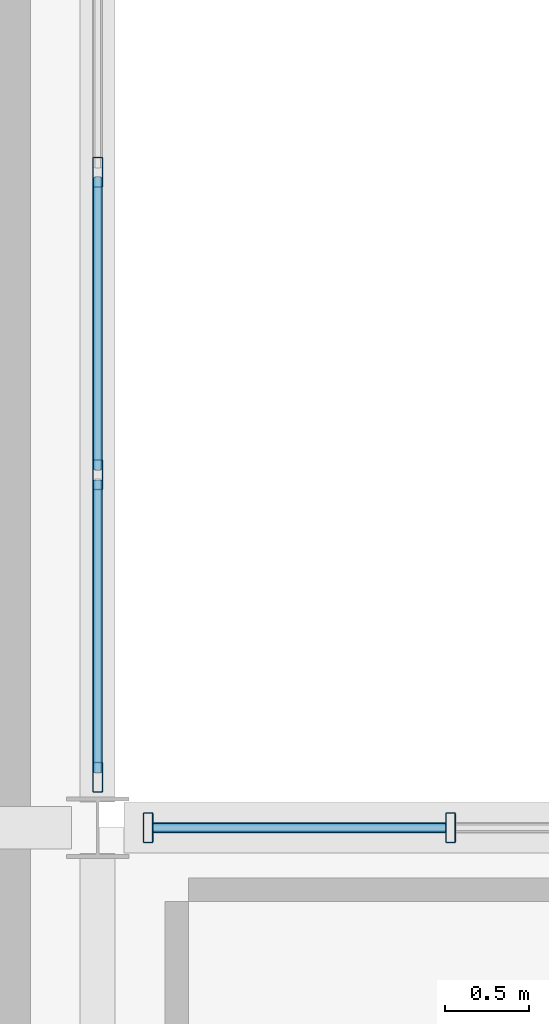
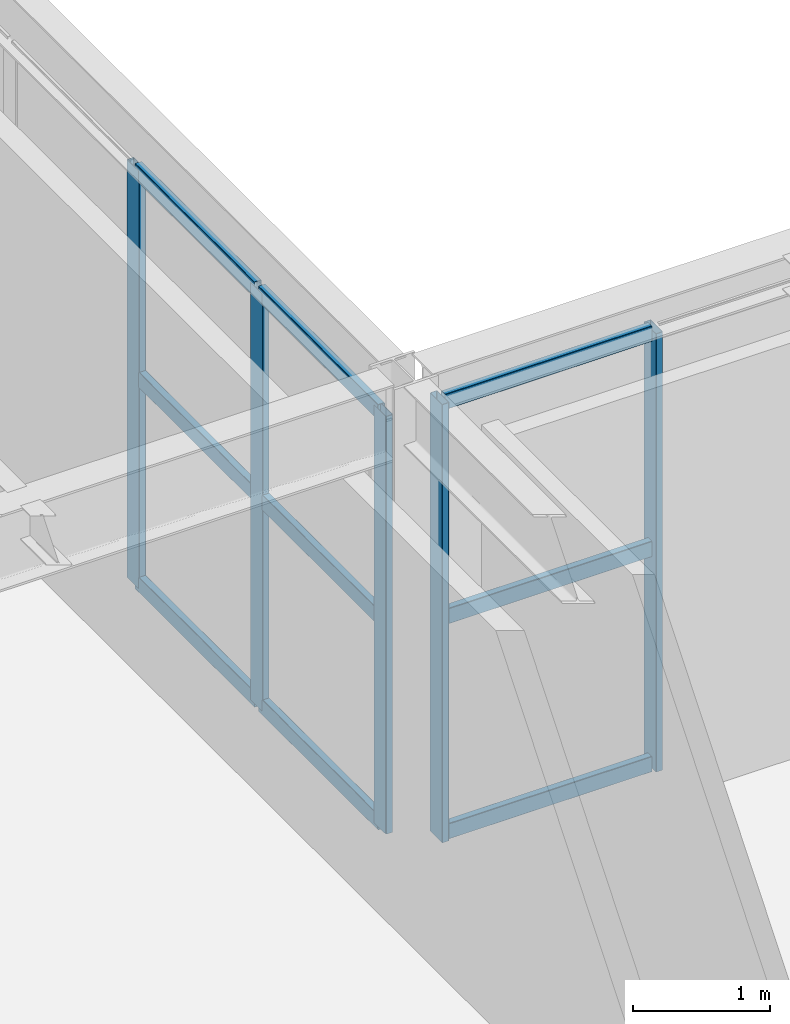
# One storey, part 26 of 170: 14 members, 2 elements without a shape of their own.
"""IFC4 building model written with IfcOpenShell, lengths in metres."""

import ifcopenshell
import ifcopenshell.guid

model = None  # the IFC model being written
_history = None  # IfcOwnerHistory: only IFC2X3 demands one
_inside = {}  # id of a spatial element -> (the spatial element, [elements in it])
_under = {}  # id of a project, library or spatial element -> (it, [spatial elements below it])
_declared = {}  # id of a project -> (the project, [libraries it declares])
_typed = {}  # id of a type object -> (the type object, [elements of that type])
_made_of = {}  # id of a material, layer set ... -> (it, [elements and type objects made of it])


def new_model(schema):
    """Start an empty IFC model of exactly this schema.

    Asked for "IFC4X3", IfcOpenShell would pick the latest addendum, in which some entities
    have other attributes; the version numbers below select the first issue.
    IFC2X3 requires an IfcOwnerHistory on every rooted entity: one is made here for all.
    """
    global model, _history
    if schema == "IFC4X3":
        model = ifcopenshell.file(schema_version=(4, 3, 0, 0))
    else:
        model = ifcopenshell.file(schema=schema)
    _inside.clear()
    _under.clear()
    _declared.clear()
    _typed.clear()
    _made_of.clear()
    _history = None
    if model.schema == "IFC2X3":
        org = make("IfcOrganization", Name="unknown")
        user = make(
            "IfcPersonAndOrganization",
            ThePerson=make("IfcPerson", FamilyName="unknown"),
            TheOrganization=org,
        )
        app = make(
            "IfcApplication",
            ApplicationDeveloper=org,
            Version="unknown",
            ApplicationFullName="unknown",
            ApplicationIdentifier="unknown",
        )
        _history = make(
            "IfcOwnerHistory",
            OwningUser=user,
            OwningApplication=app,
            ChangeAction="ADDED",
            CreationDate=0,
        )
    return model


def make(cls, **values):
    """One entity of the class cls with the attributes given. An attribute that is None is left unset."""
    return model.create_entity(
        cls, **{name: value for name, value in values.items() if value is not None}
    )


def rooted(cls, **values):
    """An entity with a GlobalId (a new one), such as an element, a storey or a relation."""
    return make(cls, GlobalId=ifcopenshell.guid.new(), OwnerHistory=_history, **values)


def si_unit(unit_type, name, prefix=None):
    """IfcSIUnit, for example si_unit("LENGTHUNIT", "METRE", prefix="MILLI")."""
    return make("IfcSIUnit", UnitType=unit_type, Prefix=prefix, Name=name)


def assignment(units):
    """IfcUnitAssignment: the units of a project."""
    return None if units is None else make("IfcUnitAssignment", Units=units)


def point(xyz):
    """IfcCartesianPoint."""
    return None if xyz is None else make("IfcCartesianPoint", Coordinates=xyz)


def direction(xyz):
    """IfcDirection."""
    return None if xyz is None else make("IfcDirection", DirectionRatios=xyz)


def frame(location, z_axis=None, x_axis=None):
    """IfcAxis2Placement3D, a coordinate frame: its origin and axes. An axis left out is left unset."""
    return make(
        "IfcAxis2Placement3D",
        Location=point(location),
        Axis=direction(z_axis),
        RefDirection=direction(x_axis),
    )


def frame_2d(location, x_axis=None):
    """IfcAxis2Placement2D, a coordinate frame in the plane: its origin and x axis."""
    return make(
        "IfcAxis2Placement2D", Location=point(location), RefDirection=direction(x_axis)
    )


def origin():
    """The frame at (0, 0, 0) with its axes left unset."""
    return frame((0.0, 0.0, 0.0))


def origin_2d():
    """The frame at (0, 0) in the plane with its x axis left unset."""
    return frame_2d((0.0, 0.0))


def place(relative_to, where):
    """IfcLocalPlacement: puts the frame where relative to a parent placement (None: the world)."""
    return make(
        "IfcLocalPlacement", PlacementRelTo=relative_to, RelativePlacement=where
    )


def context(
    kind, dimensions, precision=None, world=None, true_north=None, identifier=None
):
    """IfcGeometricRepresentationContext, for example the 3D "Model" context."""
    return make(
        "IfcGeometricRepresentationContext",
        ContextIdentifier=identifier,
        ContextType=kind,
        CoordinateSpaceDimension=dimensions,
        Precision=precision,
        WorldCoordinateSystem=world,
        TrueNorth=true_north,
    )


def subcontext(parent, identifier, kind, view, scale=None):
    """IfcGeometricRepresentationSubContext, for example "Body" below "Model"."""
    return make(
        "IfcGeometricRepresentationSubContext",
        ContextIdentifier=identifier,
        ContextType=kind,
        ParentContext=parent,
        TargetScale=scale,
        TargetView=view,
    )


def project(units=None, contexts=None):
    """IfcProject with its units and contexts."""
    return rooted(
        "IfcProject",
        Name="project",
        RepresentationContexts=contexts,
        UnitsInContext=assignment(units),
    )


def spatial(cls, under=None, at=None, **own):
    """A site, building, storey or space (cls), placed at a placement, below another one or the project."""
    s = rooted(cls, ObjectPlacement=at, **own)
    if under is not None:
        _under.setdefault(under.id(), (under, []))[1].append(s)
    return s


def profile(cls, at=None, kind="AREA", **sizes):
    """A parametric profile (cls). Its sizes go by their IFC names, for example OverallWidth=200.0."""
    return make(cls, ProfileType=kind, Position=at, **sizes)


def hollow_rectangle(**sizes):
    """IfcRectangleHollowProfileDef."""
    return profile("IfcRectangleHollowProfileDef", **sizes)


def extrude(swept, where, along, depth):
    """IfcExtrudedAreaSolid: the profile swept, set in the frame where, extruded along a direction by depth."""
    return make(
        "IfcExtrudedAreaSolid",
        SweptArea=swept,
        Position=where,
        ExtrudedDirection=direction(along),
        Depth=depth,
    )


def shape(context_of_items, identifier, shape_type, items):
    """IfcShapeRepresentation: the items that make up one representation, for example the "Body"."""
    return make(
        "IfcShapeRepresentation",
        ContextOfItems=context_of_items,
        RepresentationIdentifier=identifier,
        RepresentationType=shape_type,
        Items=items,
    )


def material(Name=None, Category=None):
    """IfcMaterial."""
    return make("IfcMaterial", Name=Name, Category=Category)


def material_profile(
    of_material, cross_section, Name=None, Category=None, Priority=None
):
    """IfcMaterialProfile: a cross section and its material."""
    return make(
        "IfcMaterialProfile",
        Name=Name,
        Material=of_material,
        Profile=cross_section,
        Priority=Priority,
        Category=Category,
    )


def profile_set(profiles, Name=None, composite=None):
    """IfcMaterialProfileSet."""
    return make(
        "IfcMaterialProfileSet",
        Name=Name,
        MaterialProfiles=profiles,
        CompositeProfile=composite,
    )


def made_of(thing, what):
    """Note that an element or type object is made of a material, layer set ...; save() writes the relation."""
    if what is not None:
        _made_of.setdefault(what.id(), (what, []))[1].append(thing)
    return thing


def type_object(cls, material=None, **own):
    """A type object (cls), such as IfcWallType, which elements share."""
    return made_of(rooted(cls, **own), material)


def element(
    cls,
    number,
    at=None,
    inside=None,
    cuts=None,
    type_object=None,
    material=None,
    context=None,
    identifier="Body",
    shape_type=None,
    held_by="IfcProductDefinitionShape",
    body=None,
    shapes=None,
    **own,
):
    """One element of the class cls, such as IfcWall. Its Tag is "e" and its number.

    at: its placement. inside: the storey or other place that contains it. cuts: it is an
    opening in that element (IfcRelVoidsElement). A single representation is given by context,
    identifier, shape_type and body (its items); several are given by shapes. held_by: the class
    of the entity that holds the representations. save() writes the other relations.
    """
    e = rooted(cls, Tag="e%d" % number, ObjectPlacement=at, **own)
    if body is not None:
        shapes = [shape(context, identifier, shape_type, body)]
    if shapes is not None:
        e.Representation = make(held_by, Representations=shapes)
    if inside is not None:
        _inside.setdefault(inside.id(), (inside, []))[1].append(e)
    if cuts is not None:
        rooted(
            "IfcRelVoidsElement", RelatingBuildingElement=cuts, RelatedOpeningElement=e
        )
    if type_object is not None:
        _typed.setdefault(type_object.id(), (type_object, []))[1].append(e)
    return made_of(e, material)


def aggregate(whole, parts):
    """IfcRelAggregates: a whole, such as a stair, and the parts it consists of."""
    return rooted("IfcRelAggregates", RelatingObject=whole, RelatedObjects=parts)


def save(model, path):
    """Write the relations noted so far, then the file.

    IfcRelAggregates (storeys below a building ...), IfcRelContainedInSpatialStructure (elements
    in a storey), IfcRelDefinesByType, IfcRelAssociatesMaterial and IfcRelDeclares: one each for
    every whole, place, type object, material and project.
    """
    for whole, parts in _under.values():
        aggregate(whole, parts)
    for where, things in _inside.values():
        rooted(
            "IfcRelContainedInSpatialStructure",
            RelatedElements=things,
            RelatingStructure=where,
        )
    for kind, things in _typed.values():
        rooted("IfcRelDefinesByType", RelatedObjects=things, RelatingType=kind)
    for what, things in _made_of.values():
        rooted("IfcRelAssociatesMaterial", RelatedObjects=things, RelatingMaterial=what)
    for by, libraries in _declared.values():
        rooted("IfcRelDeclares", RelatingContext=by, RelatedDefinitions=libraries)
    model.write(path)


model = new_model("IFC4")

# Units and contexts
model_context = context("Model", 3, precision=1e-05, world=origin(), true_north=direction((0.0, 1.0)))
body_context = subcontext(model_context, "Body", "Model", "MODEL_VIEW")
ifc_project = project(units=[si_unit("LENGTHUNIT", "METRE"), si_unit("AREAUNIT", "SQUARE_METRE"), si_unit("VOLUMEUNIT", "CUBIC_METRE"), si_unit("PLANEANGLEUNIT", "RADIAN"), si_unit("MASSUNIT", "GRAM", prefix="KILO")], contexts=[model_context])

# Site, building, storey
site_placement = place(None, origin())
site = spatial("IfcSite", under=ifc_project, at=site_placement, CompositionType="ELEMENT")
building_placement = place(site_placement, origin())
building = spatial("IfcBuilding", under=site, at=building_placement, Name="Coralgate Yard Interchange", CompositionType="ELEMENT")
storey_placement = place(building_placement, frame((0.0, 0.0, 6.0)))
storey = spatial("IfcBuildingStorey", under=building, at=storey_placement, Name="L01", CompositionType="ELEMENT", Elevation=6.0)

# Curtain wall, members
ifc_material_1 = material(Name="Anodised coastal aluminium and solar-control low-E glass", Category="aluminium")
curtain_wall_type_1 = type_object("IfcCurtainWallType", Name="CW-CW-L01-B", PredefinedType="NOTDEFINED", material=ifc_material_1)
curtain_wall_1_placement = place(storey_placement, origin())
curtain_wall_1 = element("IfcCurtainWall", 1, at=curtain_wall_1_placement, inside=storey, type_object=curtain_wall_type_1, Name="L01 unitised curtain wall CW-L01-E-02-02", PredefinedType="NOTDEFINED")
ifc_material_2 = material(Name="Anodised coastal aluminium 6063-T6", Category="aluminium")
ifc_material_profile_1 = material_profile(ifc_material_2, hollow_rectangle(XDim=0.06005859375, YDim=0.179931640625, WallThickness=0.00390625, InnerFilletRadius=0.00390625, OuterFilletRadius=0.008056640625, at=origin_2d()), Name="ALU 60x180x4")
ifc_profile_set_1 = profile_set([ifc_material_profile_1], Name="Anodised coastal aluminium 6063-T6")
member_type_1 = type_object("IfcMemberType", Name="MB-MUL-180", PredefinedType="MULLION", material=ifc_profile_set_1)
member_1_placement = place(storey_placement, frame((28.800048828125, 23.10009765625, 0.0), z_axis=(0.0, 0.0, 1.0), x_axis=(1.0, 0.0, 0.0)))
member_1 = element("IfcMember", 2, at=member_1_placement, type_object=member_type_1, Name="CW-L01-E-02-02 vertical mullion 4", PredefinedType="MULLION", context=body_context, shape_type="SweptSolid", body=[
    extrude(hollow_rectangle(XDim=0.06005859375, YDim=0.179931640625, WallThickness=0.00390625, InnerFilletRadius=0.00390625, OuterFilletRadius=0.008056640625, at=origin_2d()), origin(), (0.0, 0.0, 1.0), 3.716796875),
])
member_2_placement = place(storey_placement, frame((28.800048828125, 21.300048828125, 0.0), z_axis=(0.0, 0.0, 1.0), x_axis=(1.0, 0.0, 0.0)))
member_2 = element("IfcMember", 3, at=member_2_placement, type_object=member_type_1, Name="CW-L01-E-02-02 vertical mullion 5", PredefinedType="MULLION", context=body_context, shape_type="SweptSolid", body=[
    extrude(hollow_rectangle(XDim=0.06005859375, YDim=0.179931640625, WallThickness=0.00390625, InnerFilletRadius=0.00390625, OuterFilletRadius=0.008056640625, at=origin_2d()), origin(), (0.0, 0.0, 1.0), 3.716796875),
])
member_3_placement = place(storey_placement, frame((28.800048828125, 19.5, 0.0), z_axis=(0.0, 0.0, 1.0), x_axis=(1.0, 0.0, 0.0)))
member_3 = element("IfcMember", 4, at=member_3_placement, type_object=member_type_1, Name="CW-L01-E-02-02 vertical mullion 6", PredefinedType="MULLION", context=body_context, shape_type="SweptSolid", body=[
    extrude(hollow_rectangle(XDim=0.06005859375, YDim=0.179931640625, WallThickness=0.00390625, InnerFilletRadius=0.00390625, OuterFilletRadius=0.008056640625, at=origin_2d()), origin(), (0.0, 0.0, 1.0), 3.716796875),
])

curtain_wall_type_2 = type_object("IfcCurtainWallType", Name="CW-CW-L01-A", PredefinedType="NOTDEFINED", material=ifc_material_1)
curtain_wall_2_placement = place(storey_placement, origin())
curtain_wall_2 = element("IfcCurtainWall", 5, at=curtain_wall_2_placement, inside=storey, type_object=curtain_wall_type_2, Name="L01 unitised curtain wall CW-L01-N-03-01", PredefinedType="NOTDEFINED")
member_4_placement = place(storey_placement, frame((29.10009765625, 19.199951171875, 0.0), z_axis=(0.0, 0.0, 1.0), x_axis=(1.0, 0.0, 0.0)))
member_4 = element("IfcMember", 6, at=member_4_placement, type_object=member_type_1, Name="CW-L01-N-03-01 vertical mullion 1", PredefinedType="MULLION", context=body_context, shape_type="SweptSolid", body=[
    extrude(hollow_rectangle(XDim=0.06005859375, YDim=0.179931640625, WallThickness=0.00390625, InnerFilletRadius=0.00390625, OuterFilletRadius=0.008056640625, at=origin_2d()), origin(), (0.0, 0.0, 1.0), 3.89990234375),
])
member_5_placement = place(storey_placement, frame((30.89990234375, 19.199951171875, 0.0), z_axis=(0.0, 0.0, 1.0), x_axis=(1.0, 0.0, 0.0)))
member_5 = element("IfcMember", 7, at=member_5_placement, type_object=member_type_1, Name="CW-L01-N-03-01 vertical mullion 2", PredefinedType="MULLION", context=body_context, shape_type="SweptSolid", body=[
    extrude(hollow_rectangle(XDim=0.06005859375, YDim=0.179931640625, WallThickness=0.00390625, InnerFilletRadius=0.00390625, OuterFilletRadius=0.008056640625, at=origin_2d()), origin(), (0.0, 0.0, 1.0), 3.89990234375),
])

# Member
ifc_material_profile_2 = material_profile(ifc_material_2, hollow_rectangle(XDim=0.06005859375, YDim=0.139892578125, WallThickness=0.00341796875, InnerFilletRadius=0.00341796875, OuterFilletRadius=0.007080078125, at=origin_2d()), Name="ALU 60x140x3.5")
ifc_profile_set_2 = profile_set([ifc_material_profile_2], Name="Anodised coastal aluminium 6063-T6")
member_type_2 = type_object("IfcMemberType", Name="MB-TRN-140", PredefinedType="USERDEFINED", material=ifc_profile_set_2)
member_6_placement = place(storey_placement, frame((28.800048828125, 23.070068359375, 0.034912109375), z_axis=(0.0, -1.0, 0.0), x_axis=(1.0, 0.0, 0.0)))
member_6 = element("IfcMember", 8, at=member_6_placement, type_object=member_type_2, Name="CW-L01-E-02-02 horizontal transom 4-1", ObjectType="TRANSOM", PredefinedType="USERDEFINED", context=body_context, shape_type="SweptSolid", body=[
    extrude(hollow_rectangle(XDim=0.06005859375, YDim=0.139892578125, WallThickness=0.00341796875, InnerFilletRadius=0.00341796875, OuterFilletRadius=0.007080078125, at=origin_2d()), origin(), (0.0, 0.0, 1.0), 1.739990234375),
])

member_7_placement = place(storey_placement, frame((28.800048828125, 23.070068359375, 1.8583984375), z_axis=(0.0, -1.0, 0.0), x_axis=(1.0, 0.0, 0.0)))
member_7 = element("IfcMember", 9, at=member_7_placement, type_object=member_type_2, Name="CW-L01-E-02-02 horizontal transom 4-2", ObjectType="TRANSOM", PredefinedType="USERDEFINED", context=body_context, shape_type="SweptSolid", body=[
    extrude(hollow_rectangle(XDim=0.06005859375, YDim=0.139892578125, WallThickness=0.00341796875, InnerFilletRadius=0.00341796875, OuterFilletRadius=0.007080078125, at=origin_2d()), origin(), (0.0, 0.0, 1.0), 1.739990234375),
])

member_8_placement = place(storey_placement, frame((28.800048828125, 23.070068359375, 3.681884765625), z_axis=(0.0, -1.0, 0.0), x_axis=(1.0, 0.0, 0.0)))
member_8 = element("IfcMember", 10, at=member_8_placement, type_object=member_type_2, Name="CW-L01-E-02-02 horizontal transom 4-3", ObjectType="TRANSOM", PredefinedType="USERDEFINED", context=body_context, shape_type="SweptSolid", body=[
    extrude(hollow_rectangle(XDim=0.06005859375, YDim=0.139892578125, WallThickness=0.00341796875, InnerFilletRadius=0.00341796875, OuterFilletRadius=0.007080078125, at=origin_2d()), origin(), (0.0, 0.0, 1.0), 1.739990234375),
])

member_9_placement = place(storey_placement, frame((28.800048828125, 21.27001953125, 0.034912109375), z_axis=(0.0, -1.0, 0.0), x_axis=(1.0, 0.0, 0.0)))
member_9 = element("IfcMember", 11, at=member_9_placement, type_object=member_type_2, Name="CW-L01-E-02-02 horizontal transom 5-1", ObjectType="TRANSOM", PredefinedType="USERDEFINED", context=body_context, shape_type="SweptSolid", body=[
    extrude(hollow_rectangle(XDim=0.06005859375, YDim=0.139892578125, WallThickness=0.00341796875, InnerFilletRadius=0.00341796875, OuterFilletRadius=0.007080078125, at=origin_2d()), origin(), (0.0, 0.0, 1.0), 1.739990234375),
])

member_10_placement = place(storey_placement, frame((28.800048828125, 21.27001953125, 1.8583984375), z_axis=(0.0, -1.0, 0.0), x_axis=(1.0, 0.0, 0.0)))
member_10 = element("IfcMember", 12, at=member_10_placement, type_object=member_type_2, Name="CW-L01-E-02-02 horizontal transom 5-2", ObjectType="TRANSOM", PredefinedType="USERDEFINED", context=body_context, shape_type="SweptSolid", body=[
    extrude(hollow_rectangle(XDim=0.06005859375, YDim=0.139892578125, WallThickness=0.00341796875, InnerFilletRadius=0.00341796875, OuterFilletRadius=0.007080078125, at=origin_2d()), origin(), (0.0, 0.0, 1.0), 1.739990234375),
])

member_11_placement = place(storey_placement, frame((28.800048828125, 21.27001953125, 3.681884765625), z_axis=(0.0, -1.0, 0.0), x_axis=(1.0, 0.0, 0.0)))
member_11 = element("IfcMember", 13, at=member_11_placement, type_object=member_type_2, Name="CW-L01-E-02-02 horizontal transom 5-3", ObjectType="TRANSOM", PredefinedType="USERDEFINED", context=body_context, shape_type="SweptSolid", body=[
    extrude(hollow_rectangle(XDim=0.06005859375, YDim=0.139892578125, WallThickness=0.00341796875, InnerFilletRadius=0.00341796875, OuterFilletRadius=0.007080078125, at=origin_2d()), origin(), (0.0, 0.0, 1.0), 1.739990234375),
])

aggregate(curtain_wall_1, [member_1, member_2, member_3, member_6, member_7, member_8, member_9, member_10, member_11])

member_12_placement = place(storey_placement, frame((29.1298828125, 19.199951171875, 0.034912109375), z_axis=(1.0, 0.0, 0.0), x_axis=(0.0, 1.0, 0.0)))
member_12 = element("IfcMember", 14, at=member_12_placement, type_object=member_type_2, Name="CW-L01-N-03-01 horizontal transom 1-1", ObjectType="TRANSOM", PredefinedType="USERDEFINED", context=body_context, shape_type="SweptSolid", body=[
    extrude(hollow_rectangle(XDim=0.06005859375, YDim=0.139892578125, WallThickness=0.00341796875, InnerFilletRadius=0.00341796875, OuterFilletRadius=0.007080078125, at=origin_2d()), origin(), (0.0, 0.0, 1.0), 1.740234375),
])

member_13_placement = place(storey_placement, frame((29.1298828125, 19.199951171875, 1.949951171875), z_axis=(1.0, 0.0, 0.0), x_axis=(0.0, 1.0, 0.0)))
member_13 = element("IfcMember", 15, at=member_13_placement, type_object=member_type_2, Name="CW-L01-N-03-01 horizontal transom 1-2", ObjectType="TRANSOM", PredefinedType="USERDEFINED", context=body_context, shape_type="SweptSolid", body=[
    extrude(hollow_rectangle(XDim=0.06005859375, YDim=0.139892578125, WallThickness=0.00341796875, InnerFilletRadius=0.00341796875, OuterFilletRadius=0.007080078125, at=origin_2d()), origin(), (0.0, 0.0, 1.0), 1.740234375),
])

member_14_placement = place(storey_placement, frame((29.1298828125, 19.199951171875, 3.864990234375), z_axis=(1.0, 0.0, 0.0), x_axis=(0.0, 1.0, 0.0)))
member_14 = element("IfcMember", 16, at=member_14_placement, type_object=member_type_2, Name="CW-L01-N-03-01 horizontal transom 1-3", ObjectType="TRANSOM", PredefinedType="USERDEFINED", context=body_context, shape_type="SweptSolid", body=[
    extrude(hollow_rectangle(XDim=0.06005859375, YDim=0.139892578125, WallThickness=0.00341796875, InnerFilletRadius=0.00341796875, OuterFilletRadius=0.007080078125, at=origin_2d()), origin(), (0.0, 0.0, 1.0), 1.740234375),
])

aggregate(curtain_wall_2, [member_4, member_5, member_12, member_13, member_14])

save(model, "model.ifc")
